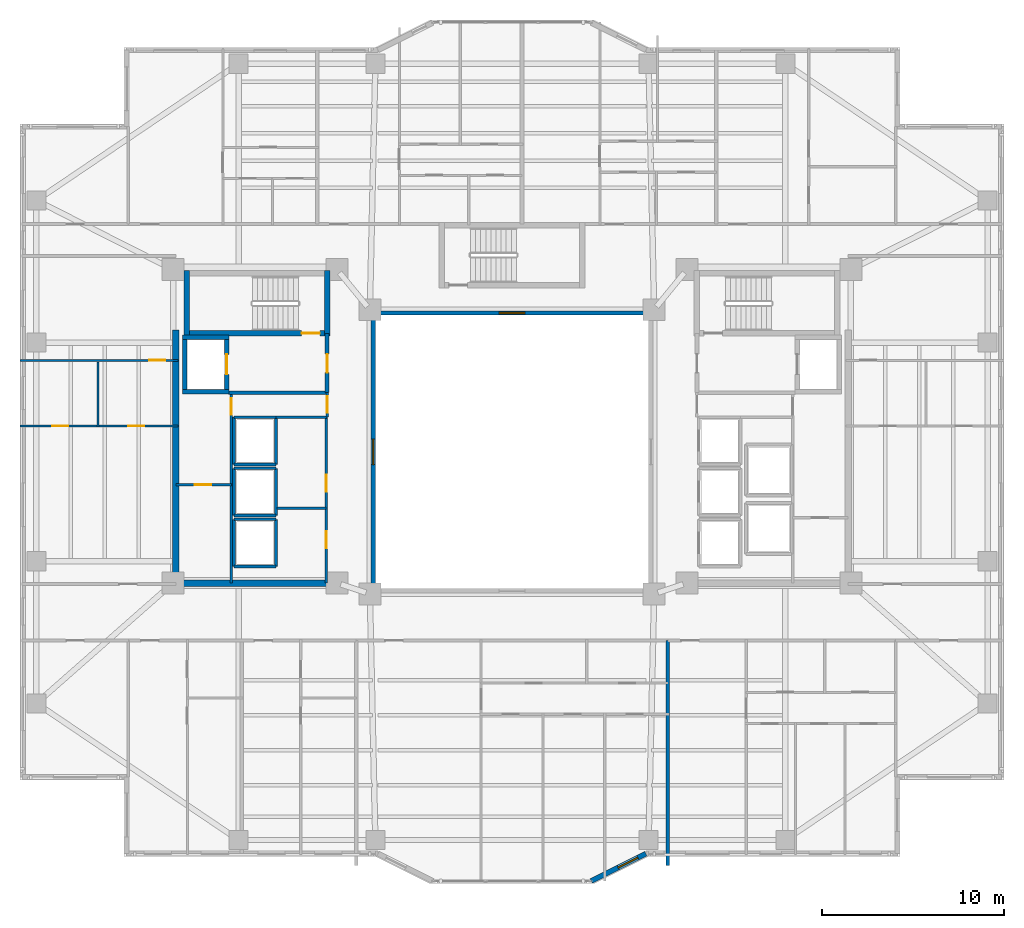
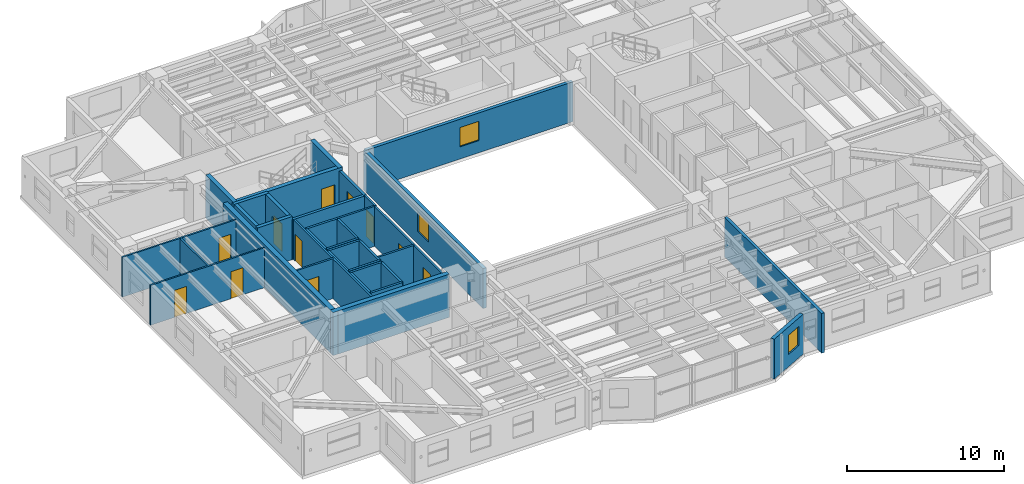
# One storey, part 7 of 19: 36 walls, 11 doors, 3 windows, 14 openings.
"""IFC4 building model written with IfcOpenShell, lengths in metres."""

from ifc_helpers import new_model, si_unit, direction, frame, frame_2d, origin, place, context, subcontext, project, spatial, rectangle, extrude, material, layer, layer_set, type_object, element, fill, save


model = new_model("IFC4")

# Units and contexts
model_context = context("Model", 3, precision=1e-05, world=origin(), true_north=direction((0.0, 1.0)))
body_context = subcontext(model_context, "Body", "Model", "MODEL_VIEW")
ifc_project = project(units=[si_unit("LENGTHUNIT", "METRE"), si_unit("AREAUNIT", "SQUARE_METRE"), si_unit("VOLUMEUNIT", "CUBIC_METRE"), si_unit("PLANEANGLEUNIT", "RADIAN"), si_unit("MASSUNIT", "GRAM", prefix="KILO")], contexts=[model_context])

# Site, building, storey
site_placement = place(None, origin())
site = spatial("IfcSite", under=ifc_project, at=site_placement, CompositionType="ELEMENT")
building_placement = place(site_placement, origin())
building = spatial("IfcBuilding", under=site, at=building_placement, Name="Tarnavaz Court Tower", CompositionType="ELEMENT")
storey_placement = place(building_placement, frame((0.0, 0.0, 81.64990234375)))
storey = spatial("IfcBuildingStorey", under=building, at=storey_placement, Name="L21", CompositionType="ELEMENT", Elevation=81.64990234375)

# Wall
ifc_material_1 = material(Name="Concrete C60/75", Category="concrete")
ifc_layer_1 = layer(ifc_material_1, 0.25)
ifc_layer_set_1 = layer_set([ifc_layer_1], Name="Concrete C60/75")
wall_type_1 = type_object("IfcWallType", Name="WL-CORE-250-C60", PredefinedType="SHEAR", material=ifc_layer_set_1)
wall_1_placement = place(storey_placement, frame((-17.949951171875, 3.175048828125, 0.0), z_axis=(0.0, 0.0, 1.0), x_axis=(0.0, 1.0, 0.0)))
element("IfcWall", 1, at=wall_1_placement, inside=storey, type_object=wall_type_1, Name="L21 Lift FL-W1 Shaft Wall 017", PredefinedType="SHEAR", context=body_context, shape_type="SweptSolid", body=[
    extrude(rectangle(XDim=3.25, YDim=0.25, at=frame_2d((1.625, 0.0))), origin(), (0.0, 0.0, 1.0), 3.35009765625),
])

# Wall, opening, door
wall_2_placement = place(storey_placement, frame((-15.64990234375, 3.175048828125, 0.0), z_axis=(0.0, 0.0, 1.0), x_axis=(0.0, 1.0, 0.0)))
wall_2 = element("IfcWall", 2, at=wall_2_placement, inside=storey, type_object=wall_type_1, Name="L21 Lift FL-W1 Shaft Wall 018", PredefinedType="SHEAR", context=body_context, shape_type="SweptSolid", body=[
    extrude(rectangle(XDim=3.25, YDim=0.25, at=frame_2d((1.625, 0.0))), origin(), (0.0, 0.0, 1.0), 3.35009765625),
])
opening_1_placement = place(wall_2_placement, frame((1.074951171875, 0.0, 0.0)))
opening_1 = element("IfcOpeningElement", 3, at=opening_1_placement, cuts=wall_2, Name="Opening LD1", PredefinedType="OPENING", context=body_context, shape_type="SweptSolid", body=[
    extrude(rectangle(XDim=1.10009765625, YDim=2.14990234375, at=frame_2d((0.550048828125, 1.074951171875))), frame((0.0, 0.135009765625, 0.0), z_axis=(0.0, -1.0, 0.0), x_axis=(1.0, 0.0, 0.0)), (0.0, 0.0, 1.0), 0.27001953125),
])
ifc_material_2 = material(Name="Stainless Steel", Category="steel")
door_type_1 = type_object("IfcDoorType", Name="DR-LD-1100", OperationType="NOTDEFINED", PredefinedType="DOOR", material=ifc_material_2)
door_1_placement = place(opening_1_placement, origin())
door_1 = element("IfcDoor", 4, at=door_1_placement, inside=storey, type_object=door_type_1, Name="L21 Lift Landing Door LD-FL-W1", OperationType="SLIDING_TO_LEFT", OverallHeight=2.14990234375, OverallWidth=1.10009765625, PredefinedType="DOOR", context=body_context, shape_type="SweptSolid", body=[
    extrude(rectangle(XDim=1.10009765625, YDim=2.14990234375, at=frame_2d((0.550048828125, 1.074951171875))), frame((0.0, 0.02490234375, 0.0), z_axis=(0.0, -1.0, 0.0), x_axis=(1.0, 0.0, 0.0)), (0.0, 0.0, 1.0), 0.050048828125),
])
fill(opening_1, door_1)

# Walls
for number, where, z_axis, x_axis, name in (
    (5, (-18.074951171875, 3.300048828125, 0.0), (0.0, 0.0, 1.0), (1.0, 0.0, 0.0), "L21 Lift FL-W1 Shaft Wall 019"),
    (6, (-18.074951171875, 6.300048828125, 0.0), (0.0, 0.0, 1.0), (1.0, 0.0, 0.0), "L21 Lift FL-W1 Shaft Wall 020"),
):
    element("IfcWall", number, at=place(storey_placement, frame(where, z_axis=z_axis, x_axis=x_axis)), inside=storey, type_object=wall_type_1, Name=name, PredefinedType="SHEAR", context=body_context, shape_type="SweptSolid", body=[
        extrude(rectangle(XDim=2.550048828125, YDim=0.25, at=frame_2d((1.27490234375, 0.0))), origin(), (0.0, 0.0, 1.0), 3.35009765625),
    ])

# Wall, opening, door
ifc_layer_2 = layer(ifc_material_1, 0.300048828125)
ifc_layer_set_2 = layer_set([ifc_layer_2], Name="Concrete C60/75")
wall_type_2 = type_object("IfcWallType", Name="WL-CORE-300-C60", PredefinedType="SHEAR", material=ifc_layer_set_2)
wall_3_placement = place(storey_placement, frame((-18.0, 6.5, 0.0), z_axis=(0.0, 0.0, 1.0), x_axis=(1.0, 0.0, 0.0)))
wall_3 = element("IfcWall", 7, at=wall_3_placement, inside=storey, type_object=wall_type_2, Name="L21 West Stair Core Wall 002", PredefinedType="SHEAR", context=body_context, shape_type="SweptSolid", body=[
    extrude(rectangle(XDim=8.0, YDim=0.300048828125, at=frame_2d((4.0, 0.0))), origin(), (0.0, 0.0, 1.0), 3.35009765625),
])
opening_2_placement = place(wall_3_placement, frame((6.449951171875, 0.0, 0.0)))
opening_2 = element("IfcOpeningElement", 8, at=opening_2_placement, cuts=wall_3, Name="Opening D01", PredefinedType="OPENING", context=body_context, shape_type="SweptSolid", body=[
    extrude(rectangle(XDim=1.0, YDim=2.14990234375, at=frame_2d((0.5, 1.074951171875))), frame((0.0, 0.159912109375, 0.0), z_axis=(0.0, -1.0, 0.0), x_axis=(1.0, 0.0, 0.0)), (0.0, 0.0, 1.0), 0.320068359375),
])
ifc_material_3 = material(Name="Fire-Rated Hardwood Timber Core", Category="wood")
door_type_2 = type_object("IfcDoorType", Name="DR-FD90-1000", OperationType="NOTDEFINED", PredefinedType="DOOR", material=ifc_material_3)
door_2_placement = place(opening_2_placement, origin())
door_2 = element("IfcDoor", 9, at=door_2_placement, inside=storey, type_object=door_type_2, Name="L21 Stair ST-W1 Exit Door", OperationType="SINGLE_SWING_LEFT", OverallHeight=2.14990234375, OverallWidth=1.0, PredefinedType="DOOR", context=body_context, shape_type="SweptSolid", body=[
    extrude(rectangle(XDim=1.0, YDim=2.14990234375, at=frame_2d((0.5, 1.074951171875))), frame((0.0, 0.02490234375, 0.0), z_axis=(0.0, -1.0, 0.0), x_axis=(1.0, 0.0, 0.0)), (0.0, 0.0, 1.0), 0.050048828125),
])
fill(opening_2, door_2)

# Walls
for number, where, z_axis, x_axis, name in (
    (10, (-17.85009765625, 6.35009765625, 0.0), (0.0, 0.0, 1.0), (0.0, 1.0, 0.0), "L21 West Stair Core Wall 003"),
    (11, (-10.14990234375, 6.35009765625, 0.0), (0.0, 0.0, 1.0), (0.0, 1.0, 0.0), "L21 West Stair Core Wall 004"),
):
    element("IfcWall", number, at=place(storey_placement, frame(where, z_axis=z_axis, x_axis=x_axis)), inside=storey, type_object=wall_type_2, Name=name, PredefinedType="SHEAR", context=body_context, shape_type="SweptSolid", body=[
        extrude(rectangle(XDim=3.58984375, YDim=0.300048828125, at=frame_2d((1.794921875, 0.0))), origin(), (0.0, 0.0, 1.0), 3.35009765625),
    ])
ifc_layer_3 = layer(ifc_material_1, 0.35009765625)
ifc_layer_set_3 = layer_set([ifc_layer_3], Name="Concrete C60/75")
wall_type_3 = type_object("IfcWallType", Name="WL-CORE-350-C60", PredefinedType="SHEAR", material=ifc_layer_set_3)
wall_4_placement = place(storey_placement, frame((-18.449951171875, -7.375, 0.0), z_axis=(0.0, 0.0, 1.0), x_axis=(0.0, 1.0, 0.0)))
element("IfcWall", 12, at=wall_4_placement, inside=storey, type_object=wall_type_3, Name="L21 West Core Shear Wall 057", PredefinedType="SHEAR", context=body_context, shape_type="SweptSolid", body=[
    extrude(rectangle(XDim=14.050048828125, YDim=0.35009765625, at=frame_2d((7.02490234375, 0.0))), origin(), (0.0, 0.0, 1.0), 3.35009765625),
])
wall_5_placement = place(storey_placement, frame((-18.625, -7.199951171875, 0.0), z_axis=(0.0, 0.0, 1.0), x_axis=(1.0, 0.0, 0.0)))
element("IfcWall", 13, at=wall_5_placement, inside=storey, type_object=wall_type_3, Name="L21 West Core South Shear Wall 058", PredefinedType="SHEAR", context=body_context, shape_type="SweptSolid", body=[
    extrude(rectangle(XDim=8.550048828125, YDim=0.35009765625, at=frame_2d((4.27490234375, 0.0))), origin(), (0.0, 0.0, 1.0), 3.35009765625),
])

# Wall, opening, window
ifc_material_4 = material(Name="Precast Concrete C40/50", Category="concrete")
ifc_layer_4 = layer(ifc_material_4, 0.280029296875)
ifc_layer_set_4 = layer_set([ifc_layer_4], Name="Precast Concrete C40/50")
wall_type_4 = type_object("IfcWallType", Name="WL-EXT-280", PredefinedType="SOLIDWALL", material=ifc_layer_set_4)
wall_6_placement = place(storey_placement, frame((7.35009765625, -22.050048828125, 0.0), z_axis=(0.0, 0.0, 1.0), x_axis=(-0.894427191, -0.4472135955, 0.0)))
wall_6 = element("IfcWall", 14, at=wall_6_placement, inside=storey, type_object=wall_type_4, Name="L21 Exterior Terracotta Facade Wall 16", PredefinedType="SOLIDWALL", context=body_context, shape_type="SweptSolid", body=[
    extrude(rectangle(XDim=3.35400390625, YDim=0.280029296875, at=frame_2d((1.677001953125, 0.0))), origin(), (0.0, 0.0, 1.0), 3.10009765625),
])
opening_3_placement = place(wall_6_placement, frame((0.501220703125, 0.0, 0.949951171875)))
opening_3 = element("IfcOpeningElement", 15, at=opening_3_placement, cuts=wall_6, Name="Opening W05", PredefinedType="OPENING", context=body_context, shape_type="SweptSolid", body=[
    extrude(rectangle(XDim=1.199951171875, YDim=1.5, at=frame_2d((0.60009765625, 0.75))), frame((0.0, 0.14990234375, 0.0), z_axis=(0.0, -1.0, 0.0), x_axis=(1.0, 0.0, 0.0)), (0.0, 0.0, 1.0), 0.300048828125),
])
ifc_material_5 = material(Name="Double-Glazed Solar Low-E Glass", Category="glass")
window_type_1 = type_object("IfcWindowType", Name="WN-APT-1200", PartitioningType="SINGLE_PANEL", PredefinedType="WINDOW", material=ifc_material_5)
window_1_placement = place(opening_3_placement, origin())
window_1 = element("IfcWindow", 16, at=window_1_placement, inside=storey, type_object=window_type_1, Name="L21 Flat 08 Bedroom 3 Window", OverallHeight=1.5, OverallWidth=1.199951171875, PartitioningType="SINGLE_PANEL", PredefinedType="WINDOW", context=body_context, shape_type="SweptSolid", body=[
    extrude(rectangle(XDim=1.199951171875, YDim=1.5, at=frame_2d((0.60009765625, 0.75))), frame((0.0, 0.030029296875, 0.0), z_axis=(0.0, -1.0, 0.0), x_axis=(1.0, 0.0, 0.0)), (0.0, 0.0, 1.0), 0.06005859375),
])
fill(opening_3, window_1)

# Wall
ifc_material_6 = material(Name="Autoclaved Aerated Concrete Blockwork", Category="masonry")
ifc_layer_5 = layer(ifc_material_6, 0.199951171875)
ifc_layer_set_5 = layer_set([ifc_layer_5], Name="Autoclaved Aerated Concrete Blockwork")
wall_type_5 = type_object("IfcWallType", Name="WL-FIRE-200", PredefinedType="SOLIDWALL", material=ifc_layer_set_5)
wall_7_placement = place(storey_placement, frame((-15.550048828125, 3.25, 0.0), z_axis=(0.0, 0.0, 1.0), x_axis=(1.0, 0.0, 0.0)))
element("IfcWall", 17, at=wall_7_placement, inside=storey, type_object=wall_type_5, Name="L21 West Firefighting Lobby Wall 013", PredefinedType="SOLIDWALL", context=body_context, shape_type="SweptSolid", body=[
    extrude(rectangle(XDim=5.400146484375, YDim=0.199951171875, at=frame_2d((2.7001953125, 0.0))), origin(), (0.0, 0.0, 1.0), 3.10009765625),
])

# Wall, opening, door
wall_8_placement = place(storey_placement, frame((-10.14990234375, 3.25, 0.0), z_axis=(0.0, 0.0, 1.0), x_axis=(0.0, 1.0, 0.0)))
wall_8 = element("IfcWall", 18, at=wall_8_placement, inside=storey, type_object=wall_type_5, Name="L21 West Firefighting Lobby Wall 014", PredefinedType="SOLIDWALL", context=body_context, shape_type="SweptSolid", body=[
    extrude(rectangle(XDim=3.25, YDim=0.199951171875, at=frame_2d((1.625, 0.0))), origin(), (0.0, 0.0, 1.0), 3.10009765625),
])
opening_4_placement = place(wall_8_placement, frame((1.10009765625, 0.0, 0.0)))
opening_4 = element("IfcOpeningElement", 19, at=opening_4_placement, cuts=wall_8, Name="Opening D05", PredefinedType="OPENING", context=body_context, shape_type="SweptSolid", body=[
    extrude(rectangle(XDim=1.02001953125, YDim=2.14990234375, at=frame_2d((0.510009765625, 1.074951171875))), frame((0.0, 0.10986328125, 0.0), z_axis=(0.0, -1.0, 0.0), x_axis=(1.0, 0.0, 0.0)), (0.0, 0.0, 1.0), 0.219970703125),
])
door_type_3 = type_object("IfcDoorType", Name="DR-FD60-1000", OperationType="NOTDEFINED", PredefinedType="DOOR", material=ifc_material_3)
door_3_placement = place(opening_4_placement, origin())
door_3 = element("IfcDoor", 20, at=door_3_placement, inside=storey, type_object=door_type_3, Name="L21 West Firefighting Lobby Door", OperationType="SINGLE_SWING_RIGHT", OverallHeight=2.14990234375, OverallWidth=1.02001953125, PredefinedType="DOOR", context=body_context, shape_type="SweptSolid", body=[
    extrude(rectangle(XDim=1.02001953125, YDim=2.14990234375, at=frame_2d((0.510009765625, 1.074951171875))), frame((0.0, 0.02490234375, 0.0), z_axis=(0.0, -1.0, 0.0), x_axis=(1.0, 0.0, 0.0)), (0.0, 0.0, 1.0), 0.050048828125),
])
fill(opening_4, door_3)

# Wall
wall_9_placement = place(storey_placement, frame((8.550048828125, -22.7041015625, 0.0), z_axis=(0.0, 0.0, 1.0), x_axis=(0.0, 1.0, 0.0)))
element("IfcWall", 21, at=wall_9_placement, inside=storey, type_object=wall_type_5, Name="L21 Party Wall 113", PredefinedType="SOLIDWALL", context=body_context, shape_type="SweptSolid", body=[
    extrude(rectangle(XDim=12.35400390625, YDim=0.199951171875, at=frame_2d((6.177001953125, 0.0))), origin(), (0.0, 0.0, 1.0), 3.10009765625),
])

# Wall, openings, doors
ifc_material_7 = material(Name="Moisture-Resistant Gypsum Board Partition", Category="masonry")
ifc_layer_6 = layer(ifc_material_7, 0.1201171875)
ifc_layer_set_6 = layer_set([ifc_layer_6], Name="Moisture-Resistant Gypsum Board Partition")
wall_type_6 = type_object("IfcWallType", Name="WL-PART-120", PredefinedType="PARTITIONING", material=ifc_layer_set_6)
wall_10_placement = place(storey_placement, frame((-27.0, 1.419921875, 0.0), z_axis=(0.0, 0.0, 1.0), x_axis=(1.0, 0.0, 0.0)))
wall_10 = element("IfcWall", 22, at=wall_10_placement, inside=storey, type_object=wall_type_6, Name="L21 Interior Partition 134", PredefinedType="PARTITIONING", context=body_context, shape_type="SweptSolid", body=[
    extrude(rectangle(XDim=8.669921875, YDim=0.1201171875, at=frame_2d((4.3349609375, 0.0))), origin(), (0.0, 0.0, 1.0), 3.10009765625),
])
opening_5_placement = place(wall_10_placement, frame((1.762939453125, 0.0, 0.0)))
opening_5 = element("IfcOpeningElement", 23, at=opening_5_placement, cuts=wall_10, Name="Opening D14", PredefinedType="OPENING", context=body_context, shape_type="SweptSolid", body=[
    extrude(rectangle(XDim=0.8798828125, YDim=2.10009765625, at=frame_2d((0.43994140625, 1.050048828125))), frame((0.0, 0.070068359375, 0.0), z_axis=(0.0, -1.0, 0.0), x_axis=(1.0, 0.0, 0.0)), (0.0, 0.0, 1.0), 0.14013671875),
])
opening_6_placement = place(wall_10_placement, frame((5.927978515625, 0.0, 0.0)))
opening_6 = element("IfcOpeningElement", 24, at=opening_6_placement, cuts=wall_10, Name="Opening D14", PredefinedType="OPENING", context=body_context, shape_type="SweptSolid", body=[
    extrude(rectangle(XDim=0.8798828125, YDim=2.10009765625, at=frame_2d((0.43994140625, 1.050048828125))), frame((0.0, 0.070068359375, 0.0), z_axis=(0.0, -1.0, 0.0), x_axis=(1.0, 0.0, 0.0)), (0.0, 0.0, 1.0), 0.14013671875),
])
ifc_material_8 = material(Name="Engineered Oak Timber", Category="wood")
door_type_4 = type_object("IfcDoorType", Name="DR-INT-900", OperationType="NOTDEFINED", PredefinedType="DOOR", material=ifc_material_8)
door_4_placement = place(opening_5_placement, origin())
door_4 = element("IfcDoor", 25, at=door_4_placement, inside=storey, type_object=door_type_4, Name="L21 Flat 09 Kitchen Door", OperationType="SINGLE_SWING_RIGHT", OverallHeight=2.10009765625, OverallWidth=0.8798828125, PredefinedType="DOOR", context=body_context, shape_type="SweptSolid", body=[
    extrude(rectangle(XDim=0.8798828125, YDim=2.10009765625, at=frame_2d((0.43994140625, 1.050048828125))), frame((0.0, 0.02490234375, 0.0), z_axis=(0.0, -1.0, 0.0), x_axis=(1.0, 0.0, 0.0)), (0.0, 0.0, 1.0), 0.050048828125),
])
fill(opening_5, door_4)
door_5_placement = place(opening_6_placement, origin())
door_5 = element("IfcDoor", 26, at=door_5_placement, inside=storey, type_object=door_type_4, Name="L21 Flat 09 Bathroom Door", OperationType="SINGLE_SWING_LEFT", OverallHeight=2.10009765625, OverallWidth=0.8798828125, PredefinedType="DOOR", context=body_context, shape_type="SweptSolid", body=[
    extrude(rectangle(XDim=0.8798828125, YDim=2.10009765625, at=frame_2d((0.43994140625, 1.050048828125))), frame((0.0, 0.02490234375, 0.0), z_axis=(0.0, -1.0, 0.0), x_axis=(1.0, 0.0, 0.0)), (0.0, 0.0, 1.0), 0.050048828125),
])
fill(opening_6, door_5)

# Wall, opening, door
wall_11_placement = place(storey_placement, frame((-27.0, 5.02001953125, 0.0), z_axis=(0.0, 0.0, 1.0), x_axis=(1.0, 0.0, 0.0)))
wall_11 = element("IfcWall", 27, at=wall_11_placement, inside=storey, type_object=wall_type_6, Name="L21 Interior Partition 135", PredefinedType="PARTITIONING", context=body_context, shape_type="SweptSolid", body=[
    extrude(rectangle(XDim=8.669921875, YDim=0.1201171875, at=frame_2d((4.3349609375, 0.0))), origin(), (0.0, 0.0, 1.0), 3.10009765625),
])
opening_7_placement = place(wall_11_placement, frame((7.10009765625, 0.0, 0.0)))
opening_7 = element("IfcOpeningElement", 28, at=opening_7_placement, cuts=wall_11, Name="Opening D14", PredefinedType="OPENING", context=body_context, shape_type="SweptSolid", body=[
    extrude(rectangle(XDim=0.8798828125, YDim=2.10009765625, at=frame_2d((0.43994140625, 1.050048828125))), frame((0.0, 0.070068359375, 0.0), z_axis=(0.0, -1.0, 0.0), x_axis=(1.0, 0.0, 0.0)), (0.0, 0.0, 1.0), 0.14013671875),
])
door_6_placement = place(opening_7_placement, origin())
door_6 = element("IfcDoor", 29, at=door_6_placement, inside=storey, type_object=door_type_4, Name="L21 Flat 09 Study Door", OperationType="SINGLE_SWING_RIGHT", OverallHeight=2.10009765625, OverallWidth=0.8798828125, PredefinedType="DOOR", context=body_context, shape_type="SweptSolid", body=[
    extrude(rectangle(XDim=0.8798828125, YDim=2.10009765625, at=frame_2d((0.43994140625, 1.050048828125))), frame((0.0, 0.02490234375, 0.0), z_axis=(0.0, -1.0, 0.0), x_axis=(1.0, 0.0, 0.0)), (0.0, 0.0, 1.0), 0.050048828125),
])
fill(opening_7, door_6)

# Walls
wall_12_placement = place(storey_placement, frame((-22.715087890625, 1.360107421875, 0.0), z_axis=(0.0, 0.0, 1.0), x_axis=(0.0, 1.0, 0.0)))
element("IfcWall", 30, at=wall_12_placement, inside=storey, type_object=wall_type_6, Name="L21 Interior Partition 136", PredefinedType="PARTITIONING", context=body_context, shape_type="SweptSolid", body=[
    extrude(rectangle(XDim=3.579833984375, YDim=0.1201171875, at=frame_2d((1.7900390625, 0.0))), origin(), (0.0, 0.0, 1.0), 3.10009765625),
])
ifc_material_9 = material(Name="Gypsum Plasterboard Acoustic Partition", Category="masonry")
ifc_layer_7 = layer(ifc_material_9, 0.139892578125)
ifc_layer_set_7 = layer_set([ifc_layer_7], Name="Gypsum Plasterboard Acoustic Partition")
wall_type_7 = type_object("IfcWallType", Name="WL-PART-150", PredefinedType="PARTITIONING", material=ifc_layer_set_7)
wall_13_placement = place(storey_placement, frame((-12.949951171875, 1.89990234375, 0.0), z_axis=(0.0, 0.0, 1.0), x_axis=(1.0, 0.0, 0.0)))
element("IfcWall", 31, at=wall_13_placement, inside=storey, type_object=wall_type_7, Name="L21 Interior Partition 061", PredefinedType="PARTITIONING", context=body_context, shape_type="SweptSolid", body=[
    extrude(rectangle(XDim=2.800048828125, YDim=0.139892578125, at=frame_2d((1.39990234375, 0.0))), origin(), (0.0, 0.0, 1.0), 3.10009765625),
])

# Wall, opening, door
wall_14_placement = place(storey_placement, frame((-10.14990234375, 1.919921875, 0.0), z_axis=(0.0, 0.0, 1.0), x_axis=(0.0, 1.0, 0.0)))
wall_14 = element("IfcWall", 32, at=wall_14_placement, inside=storey, type_object=wall_type_7, Name="L21 Interior Partition 062", PredefinedType="PARTITIONING", context=body_context, shape_type="SweptSolid", body=[
    extrude(rectangle(XDim=1.330078125, YDim=0.139892578125, at=frame_2d((0.6650390625, 0.0))), origin(), (0.0, 0.0, 1.0), 3.10009765625),
])
opening_8_placement = place(wall_14_placement, frame((0.219970703125, 0.0, 0.0)))
opening_8 = element("IfcOpeningElement", 33, at=opening_8_placement, cuts=wall_14, Name="Opening D09", PredefinedType="OPENING", context=body_context, shape_type="SweptSolid", body=[
    extrude(rectangle(XDim=0.89990234375, YDim=2.080078125, at=frame_2d((0.449951171875, 1.0400390625))), frame((0.0, 0.079833984375, 0.0), z_axis=(0.0, -1.0, 0.0), x_axis=(1.0, 0.0, 0.0)), (0.0, 0.0, 1.0), 0.159912109375),
])
door_type_5 = type_object("IfcDoorType", Name="DR-FD30-900", OperationType="NOTDEFINED", PredefinedType="DOOR", material=ifc_material_3)
door_7_placement = place(opening_8_placement, origin())
door_7 = element("IfcDoor", 34, at=door_7_placement, inside=storey, type_object=door_type_5, Name="L21 West Core Service Lobby Door", OperationType="SINGLE_SWING_LEFT", OverallHeight=2.080078125, OverallWidth=0.89990234375, PredefinedType="DOOR", context=body_context, shape_type="SweptSolid", body=[
    extrude(rectangle(XDim=0.89990234375, YDim=2.080078125, at=frame_2d((0.449951171875, 1.0400390625))), frame((0.0, 0.02490234375, 0.0), z_axis=(0.0, -1.0, 0.0), x_axis=(1.0, 0.0, 0.0)), (0.0, 0.0, 1.0), 0.050048828125),
])
fill(opening_8, door_7)

wall_15_placement = place(storey_placement, frame((-15.39990234375, -7.199951171875, 0.0), z_axis=(0.0, 0.0, 1.0), x_axis=(0.0, 1.0, 0.0)))
wall_15 = element("IfcWall", 35, at=wall_15_placement, inside=storey, type_object=wall_type_7, Name="L21 Interior Partition 063", PredefinedType="PARTITIONING", context=body_context, shape_type="SweptSolid", body=[
    extrude(rectangle(XDim=10.449951171875, YDim=0.139892578125, at=frame_2d((5.22509765625, 0.0))), origin(), (0.0, 0.0, 1.0), 3.10009765625),
])
opening_9_placement = place(wall_15_placement, frame((9.25, 0.0, 0.0)))
opening_9 = element("IfcOpeningElement", 36, at=opening_9_placement, cuts=wall_15, Name="Opening D09", PredefinedType="OPENING", context=body_context, shape_type="SweptSolid", body=[
    extrude(rectangle(XDim=0.89990234375, YDim=2.080078125, at=frame_2d((0.449951171875, 1.0400390625))), frame((0.0, 0.079833984375, 0.0), z_axis=(0.0, -1.0, 0.0), x_axis=(1.0, 0.0, 0.0)), (0.0, 0.0, 1.0), 0.159912109375),
])
door_8_placement = place(opening_9_placement, origin())
door_8 = element("IfcDoor", 37, at=door_8_placement, inside=storey, type_object=door_type_5, Name="L21 West Telecom Room Door", OperationType="SINGLE_SWING_RIGHT", OverallHeight=2.080078125, OverallWidth=0.89990234375, PredefinedType="DOOR", context=body_context, shape_type="SweptSolid", body=[
    extrude(rectangle(XDim=0.89990234375, YDim=2.080078125, at=frame_2d((0.449951171875, 1.0400390625))), frame((0.0, 0.02490234375, 0.0), z_axis=(0.0, -1.0, 0.0), x_axis=(1.0, 0.0, 0.0)), (0.0, 0.0, 1.0), 0.050048828125),
])
fill(opening_9, door_8)

wall_16_placement = place(storey_placement, frame((-18.449951171875, -1.800048828125, 0.0), z_axis=(0.0, 0.0, 1.0), x_axis=(1.0, 0.0, 0.0)))
wall_16 = element("IfcWall", 38, at=wall_16_placement, inside=storey, type_object=wall_type_7, Name="L21 Interior Partition 064", PredefinedType="PARTITIONING", context=body_context, shape_type="SweptSolid", body=[
    extrude(rectangle(XDim=3.050048828125, YDim=0.139892578125, at=frame_2d((1.52490234375, 0.0))), origin(), (0.0, 0.0, 1.0), 3.10009765625),
])
opening_10_placement = place(wall_16_placement, frame((1.050048828125, 0.0, 0.0)))
opening_10 = element("IfcOpeningElement", 39, at=opening_10_placement, cuts=wall_16, Name="Opening D09", PredefinedType="OPENING", context=body_context, shape_type="SweptSolid", body=[
    extrude(rectangle(XDim=0.89990234375, YDim=2.080078125, at=frame_2d((0.449951171875, 1.0400390625))), frame((0.0, 0.079833984375, 0.0), z_axis=(0.0, -1.0, 0.0), x_axis=(1.0, 0.0, 0.0)), (0.0, 0.0, 1.0), 0.159912109375),
])
door_9_placement = place(opening_10_placement, origin())
door_9 = element("IfcDoor", 40, at=door_9_placement, inside=storey, type_object=door_type_5, Name="L21 West Electrical Room Door", OperationType="SINGLE_SWING_LEFT", OverallHeight=2.080078125, OverallWidth=0.89990234375, PredefinedType="DOOR", context=body_context, shape_type="SweptSolid", body=[
    extrude(rectangle(XDim=0.89990234375, YDim=2.080078125, at=frame_2d((0.449951171875, 1.0400390625))), frame((0.0, 0.02490234375, 0.0), z_axis=(0.0, -1.0, 0.0), x_axis=(1.0, 0.0, 0.0)), (0.0, 0.0, 1.0), 0.050048828125),
])
fill(opening_10, door_9)

# Wall, openings, doors
wall_17_placement = place(storey_placement, frame((-10.199951171875, -7.199951171875, 0.0), z_axis=(0.0, 0.0, 1.0), x_axis=(0.0, 1.0, 0.0)))
wall_17 = element("IfcWall", 41, at=wall_17_placement, inside=storey, type_object=wall_type_7, Name="L21 West Reclaimed Core Wall 065", PredefinedType="PARTITIONING", context=body_context, shape_type="SweptSolid", body=[
    extrude(rectangle(XDim=9.119873046875, YDim=0.139892578125, at=frame_2d((4.56005859375, 0.0))), origin(), (0.0, 0.0, 1.0), 3.10009765625),
])
opening_11_placement = place(wall_17_placement, frame((1.89990234375, 0.0, 0.0)))
opening_11 = element("IfcOpeningElement", 42, at=opening_11_placement, cuts=wall_17, Name="Opening D08", PredefinedType="OPENING", context=body_context, shape_type="SweptSolid", body=[
    extrude(rectangle(XDim=0.949951171875, YDim=2.1201171875, at=frame_2d((0.47509765625, 1.06005859375))), frame((0.0, 0.079833984375, 0.0), z_axis=(0.0, -1.0, 0.0), x_axis=(1.0, 0.0, 0.0)), (0.0, 0.0, 1.0), 0.159912109375),
])
opening_12_placement = place(wall_17_placement, frame((5.0, 0.0, 0.0)))
opening_12 = element("IfcOpeningElement", 43, at=opening_12_placement, cuts=wall_17, Name="Opening D08", PredefinedType="OPENING", context=body_context, shape_type="SweptSolid", body=[
    extrude(rectangle(XDim=0.949951171875, YDim=2.1201171875, at=frame_2d((0.47509765625, 1.06005859375))), frame((0.0, 0.079833984375, 0.0), z_axis=(0.0, -1.0, 0.0), x_axis=(1.0, 0.0, 0.0)), (0.0, 0.0, 1.0), 0.159912109375),
])
door_type_6 = type_object("IfcDoorType", Name="DR-FD30-950", OperationType="NOTDEFINED", PredefinedType="DOOR", material=ifc_material_3)
door_10_placement = place(opening_11_placement, origin())
door_10 = element("IfcDoor", 44, at=door_10_placement, inside=storey, type_object=door_type_6, Name="L21 West Study Room Door", OperationType="SINGLE_SWING_RIGHT", OverallHeight=2.1201171875, OverallWidth=0.949951171875, PredefinedType="DOOR", context=body_context, shape_type="SweptSolid", body=[
    extrude(rectangle(XDim=0.949951171875, YDim=2.1201171875, at=frame_2d((0.47509765625, 1.06005859375))), frame((0.0, 0.02490234375, 0.0), z_axis=(0.0, -1.0, 0.0), x_axis=(1.0, 0.0, 0.0)), (0.0, 0.0, 1.0), 0.050048828125),
])
fill(opening_11, door_10)
door_11_placement = place(opening_12_placement, origin())
door_11 = element("IfcDoor", 45, at=door_11_placement, inside=storey, type_object=door_type_6, Name="L21 West Laundry Room Door", OperationType="SINGLE_SWING_LEFT", OverallHeight=2.1201171875, OverallWidth=0.949951171875, PredefinedType="DOOR", context=body_context, shape_type="SweptSolid", body=[
    extrude(rectangle(XDim=0.949951171875, YDim=2.1201171875, at=frame_2d((0.47509765625, 1.06005859375))), frame((0.0, 0.02490234375, 0.0), z_axis=(0.0, -1.0, 0.0), x_axis=(1.0, 0.0, 0.0)), (0.0, 0.0, 1.0), 0.050048828125),
])
fill(opening_12, door_11)

# Walls
wall_18_placement = place(storey_placement, frame((-12.89990234375, -3.10009765625, 0.0), z_axis=(0.0, 0.0, 1.0), x_axis=(1.0, 0.0, 0.0)))
element("IfcWall", 46, at=wall_18_placement, inside=storey, type_object=wall_type_7, Name="L21 Interior Partition 066", PredefinedType="PARTITIONING", context=body_context, shape_type="SweptSolid", body=[
    extrude(rectangle(XDim=2.699951171875, YDim=0.139892578125, at=frame_2d((1.35009765625, 0.0))), origin(), (0.0, 0.0, 1.0), 3.10009765625),
])
ifc_layer_8 = layer(ifc_material_6, 0.159912109375)
ifc_layer_set_8 = layer_set([ifc_layer_8], Name="Autoclaved Aerated Concrete Blockwork")
wall_type_8 = type_object("IfcWallType", Name="WL-SHAFT-150", PredefinedType="SOLIDWALL", material=ifc_layer_set_8)
for number, where, z_axis, x_axis, name in (
    (47, (-15.25, -6.300048828125, 0.0), (0.0, 0.0, 1.0), (0.0, 1.0, 0.0), "L21 Lift PL-H1 Shaft Wall 021"),
    (48, (-12.949951171875, -6.300048828125, 0.0), (0.0, 0.0, 1.0), (0.0, 1.0, 0.0), "L21 Lift PL-H1 Shaft Wall 022"),
):
    element("IfcWall", number, at=place(storey_placement, frame(where, z_axis=z_axis, x_axis=x_axis)), inside=storey, type_object=wall_type_8, Name=name, PredefinedType="SOLIDWALL", context=body_context, shape_type="SweptSolid", body=[
        extrude(rectangle(XDim=2.60009765625, YDim=0.159912109375, at=frame_2d((1.300048828125, 0.0))), origin(), (0.0, 0.0, 1.0), 3.10009765625),
    ])
for number, where, z_axis, x_axis, name in (
    (49, (-15.25, -6.300048828125, 0.0), (0.0, 0.0, 1.0), (1.0, 0.0, 0.0), "L21 Lift PL-H1 Shaft Wall 023"),
    (50, (-15.25, -3.699951171875, 0.0), (0.0, 0.0, 1.0), (1.0, 0.0, 0.0), "L21 Lift PL-H1 Shaft Wall 024"),
):
    element("IfcWall", number, at=place(storey_placement, frame(where, z_axis=z_axis, x_axis=x_axis)), inside=storey, type_object=wall_type_8, Name=name, PredefinedType="SOLIDWALL", context=body_context, shape_type="SweptSolid", body=[
        extrude(rectangle(XDim=2.300048828125, YDim=0.159912109375, at=frame_2d((1.14990234375, 0.0))), origin(), (0.0, 0.0, 1.0), 3.10009765625),
    ])
for number, where, z_axis, x_axis, name in (
    (51, (-15.25, -3.5, 0.0), (0.0, 0.0, 1.0), (0.0, 1.0, 0.0), "L21 Lift PL-H2 Shaft Wall 025"),
    (52, (-12.949951171875, -3.5, 0.0), (0.0, 0.0, 1.0), (0.0, 1.0, 0.0), "L21 Lift PL-H2 Shaft Wall 026"),
):
    element("IfcWall", number, at=place(storey_placement, frame(where, z_axis=z_axis, x_axis=x_axis)), inside=storey, type_object=wall_type_8, Name=name, PredefinedType="SOLIDWALL", context=body_context, shape_type="SweptSolid", body=[
        extrude(rectangle(XDim=2.60009765625, YDim=0.159912109375, at=frame_2d((1.300048828125, 0.0))), origin(), (0.0, 0.0, 1.0), 3.10009765625),
    ])
for number, where, z_axis, x_axis, name in (
    (53, (-15.25, -3.5, 0.0), (0.0, 0.0, 1.0), (1.0, 0.0, 0.0), "L21 Lift PL-H2 Shaft Wall 027"),
    (54, (-15.25, -0.89990234375, 0.0), (0.0, 0.0, 1.0), (1.0, 0.0, 0.0), "L21 Lift PL-H2 Shaft Wall 028"),
):
    element("IfcWall", number, at=place(storey_placement, frame(where, z_axis=z_axis, x_axis=x_axis)), inside=storey, type_object=wall_type_8, Name=name, PredefinedType="SOLIDWALL", context=body_context, shape_type="SweptSolid", body=[
        extrude(rectangle(XDim=2.300048828125, YDim=0.159912109375, at=frame_2d((1.14990234375, 0.0))), origin(), (0.0, 0.0, 1.0), 3.10009765625),
    ])
for number, where, z_axis, x_axis, name in (
    (55, (-15.25, -0.699951171875, 0.0), (0.0, 0.0, 1.0), (0.0, 1.0, 0.0), "L21 Lift PL-H3 Shaft Wall 029"),
    (56, (-12.949951171875, -0.699951171875, 0.0), (0.0, 0.0, 1.0), (0.0, 1.0, 0.0), "L21 Lift PL-H3 Shaft Wall 030"),
):
    element("IfcWall", number, at=place(storey_placement, frame(where, z_axis=z_axis, x_axis=x_axis)), inside=storey, type_object=wall_type_8, Name=name, PredefinedType="SOLIDWALL", context=body_context, shape_type="SweptSolid", body=[
        extrude(rectangle(XDim=2.599853515625, YDim=0.159912109375, at=frame_2d((1.2998046875, 0.0))), origin(), (0.0, 0.0, 1.0), 3.10009765625),
    ])
for number, where, z_axis, x_axis, name in (
    (57, (-15.25, -0.699951171875, 0.0), (0.0, 0.0, 1.0), (1.0, 0.0, 0.0), "L21 Lift PL-H3 Shaft Wall 031"),
    (58, (-15.25, 1.89990234375, 0.0), (0.0, 0.0, 1.0), (1.0, 0.0, 0.0), "L21 Lift PL-H3 Shaft Wall 032"),
):
    element("IfcWall", number, at=place(storey_placement, frame(where, z_axis=z_axis, x_axis=x_axis)), inside=storey, type_object=wall_type_8, Name=name, PredefinedType="SOLIDWALL", context=body_context, shape_type="SweptSolid", body=[
        extrude(rectangle(XDim=2.300048828125, YDim=0.159912109375, at=frame_2d((1.14990234375, 0.0))), origin(), (0.0, 0.0, 1.0), 3.10009765625),
    ])

# Wall, opening, window
ifc_layer_9 = layer(ifc_material_4, 0.239990234375)
ifc_layer_set_9 = layer_set([ifc_layer_9], Name="Precast Concrete C40/50")
wall_type_9 = type_object("IfcWallType", Name="WL-WELL-240", PredefinedType="SOLIDWALL", material=ifc_layer_set_9)
wall_19_placement = place(storey_placement, frame((7.6201171875, 7.6201171875, 0.0), z_axis=(0.0, 0.0, 1.0), x_axis=(-1.0, 0.0, 0.0)))
wall_19 = element("IfcWall", 59, at=wall_19_placement, inside=storey, type_object=wall_type_9, Name="L21 Badgir Light-Well Exterior Wall N", PredefinedType="SOLIDWALL", context=body_context, shape_type="SweptSolid", body=[
    extrude(rectangle(XDim=15.240234375, YDim=0.239990234375, at=frame_2d((7.6201171875, 0.0))), origin(), (0.0, 0.0, 1.0), 3.10009765625),
])
opening_13_placement = place(wall_19_placement, frame((6.919921875, 0.0, 0.949951171875)))
opening_13 = element("IfcOpeningElement", 60, at=opening_13_placement, cuts=wall_19, Name="Opening W13", PredefinedType="OPENING", context=body_context, shape_type="SweptSolid", body=[
    extrude(rectangle(XDim=1.39990234375, YDim=1.5, at=frame_2d((0.699951171875, 0.75))), frame((0.0, 0.1298828125, 0.0), z_axis=(0.0, -1.0, 0.0), x_axis=(1.0, 0.0, 0.0)), (0.0, 0.0, 1.0), 0.260009765625),
])
window_type_2 = type_object("IfcWindowType", Name="WN-WEL-1400", PartitioningType="SINGLE_PANEL", PredefinedType="WINDOW", material=ifc_material_5)
window_2_placement = place(opening_13_placement, origin())
window_2 = element("IfcWindow", 61, at=window_2_placement, inside=storey, type_object=window_type_2, Name="L21 Courtyard Gallery Window N", OverallHeight=1.5, OverallWidth=1.39990234375, PartitioningType="SINGLE_PANEL", PredefinedType="WINDOW", context=body_context, shape_type="SweptSolid", body=[
    extrude(rectangle(XDim=1.39990234375, YDim=1.5, at=frame_2d((0.699951171875, 0.75))), frame((0.0, 0.030029296875, 0.0), z_axis=(0.0, -1.0, 0.0), x_axis=(1.0, 0.0, 0.0)), (0.0, 0.0, 1.0), 0.06005859375),
])
fill(opening_13, window_2)

wall_20_placement = place(storey_placement, frame((-7.6201171875, 7.6201171875, 0.0), z_axis=(0.0, 0.0, 1.0), x_axis=(0.0, -1.0, 0.0)))
wall_20 = element("IfcWall", 62, at=wall_20_placement, inside=storey, type_object=wall_type_9, Name="L21 Badgir Light-Well Exterior Wall W", PredefinedType="SOLIDWALL", context=body_context, shape_type="SweptSolid", body=[
    extrude(rectangle(XDim=15.240234375, YDim=0.239990234375, at=frame_2d((7.6201171875, 0.0))), origin(), (0.0, 0.0, 1.0), 3.10009765625),
])
opening_14_placement = place(wall_20_placement, frame((6.919921875, 0.0, 0.949951171875)))
opening_14 = element("IfcOpeningElement", 63, at=opening_14_placement, cuts=wall_20, Name="Opening W13", PredefinedType="OPENING", context=body_context, shape_type="SweptSolid", body=[
    extrude(rectangle(XDim=1.39990234375, YDim=1.5, at=frame_2d((0.699951171875, 0.75))), frame((0.0, 0.1298828125, 0.0), z_axis=(0.0, -1.0, 0.0), x_axis=(1.0, 0.0, 0.0)), (0.0, 0.0, 1.0), 0.260009765625),
])
window_3_placement = place(opening_14_placement, origin())
window_3 = element("IfcWindow", 64, at=window_3_placement, inside=storey, type_object=window_type_2, Name="L21 Courtyard Gallery Window W", OverallHeight=1.5, OverallWidth=1.39990234375, PartitioningType="SINGLE_PANEL", PredefinedType="WINDOW", context=body_context, shape_type="SweptSolid", body=[
    extrude(rectangle(XDim=1.39990234375, YDim=1.5, at=frame_2d((0.699951171875, 0.75))), frame((0.0, 0.030029296875, 0.0), z_axis=(0.0, -1.0, 0.0), x_axis=(1.0, 0.0, 0.0)), (0.0, 0.0, 1.0), 0.06005859375),
])
fill(opening_14, window_3)

save(model, "model.ifc")
